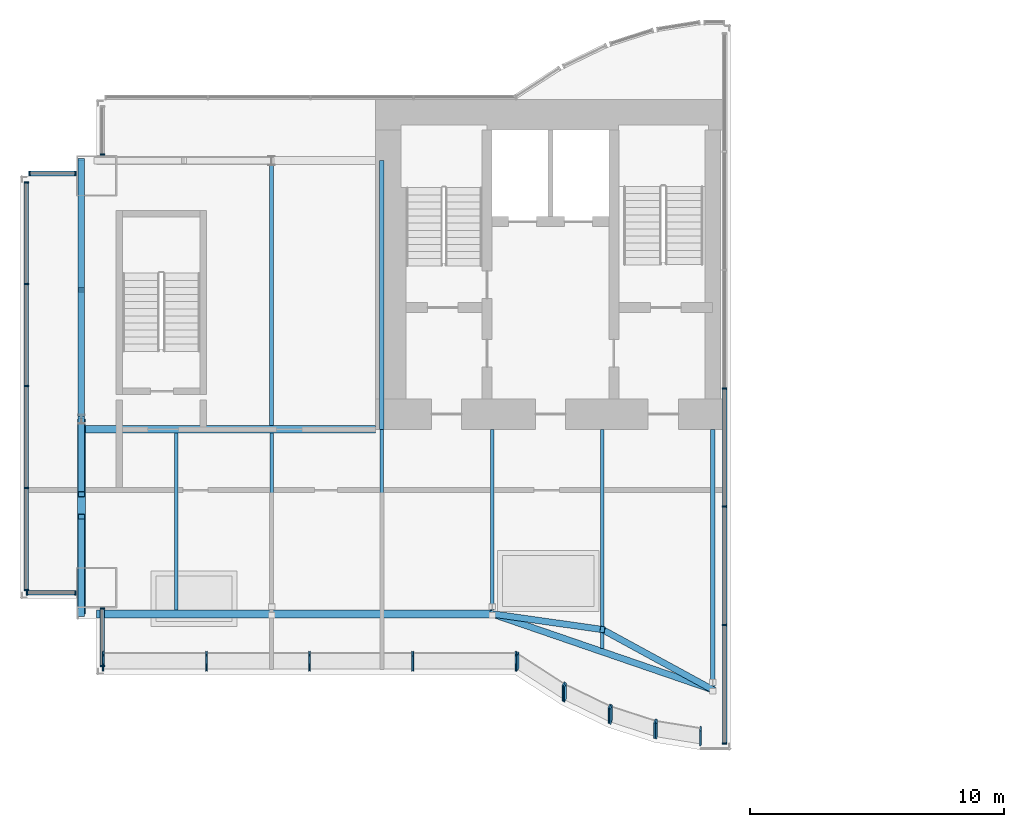
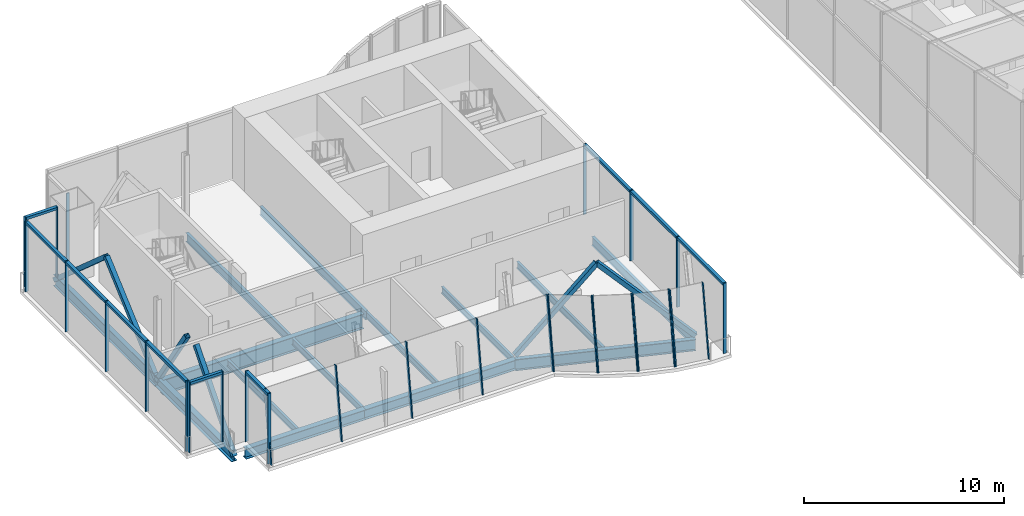
# One storey, part 3 of 17: 45 members, 14 beams, 11 elements without a shape of their own.
"""IFC4 building model written with IfcOpenShell, lengths in metres."""

from ifc_helpers import new_model, si_unit, direction, frame, origin, origin_2d, place, context, subcontext, project, spatial, rectangle, hollow_rectangle, i_section, extrude, material, material_profile, profile_set, type_object, element, aggregate, save


model = new_model("IFC4")

# Units and contexts
model_context = context("Model", 3, precision=1e-05, world=origin(), true_north=direction((0.0, 1.0)))
body_context = subcontext(model_context, "Body", "Model", "MODEL_VIEW")
ifc_project = project(units=[si_unit("LENGTHUNIT", "METRE"), si_unit("AREAUNIT", "SQUARE_METRE"), si_unit("VOLUMEUNIT", "CUBIC_METRE"), si_unit("PLANEANGLEUNIT", "RADIAN"), si_unit("MASSUNIT", "GRAM", prefix="KILO")], contexts=[model_context])

# Site, building, storey
site_placement = place(None, origin())
site = spatial("IfcSite", under=ifc_project, at=site_placement, CompositionType="ELEMENT")
building_placement = place(site_placement, origin())
building = spatial("IfcBuilding", under=site, at=building_placement, Name="Bicima Exchange Tower", CompositionType="ELEMENT")
storey_placement = place(building_placement, frame((0.0, 0.0, 356.89990234375)))
storey = spatial("IfcBuildingStorey", under=building, at=storey_placement, Name="L80", CompositionType="ELEMENT", Elevation=356.89990234375)

# Beam
ifc_material_1 = material(Name="Steel ASTM A992 Gr 50", Category="steel")
ifc_material_profile_1 = material_profile(ifc_material_1, i_section(OverallWidth=0.3046875, OverallDepth=0.911865234375, WebThickness=0.015869140625, FlangeThickness=0.02392578125, at=origin_2d()))
ifc_profile_set_1 = profile_set([ifc_material_profile_1], Name="Steel ASTM A992 Gr 50")
beam_type_1 = type_object("IfcBeamType", Name="Core-line girder W36x150", PredefinedType="BEAM", material=ifc_profile_set_1)
beam_1_placement = place(storey_placement, frame((-22.0, -13.0, -0.65576171875), z_axis=(-1.0, 0.0, 0.0), x_axis=(0.0, -1.0, 0.0)))
element("IfcBeam", 1, at=beam_1_placement, inside=storey, type_object=beam_type_1, Name="Core-line girder", PredefinedType="BEAM", context=body_context, shape_type="SweptSolid", body=[
    extrude(i_section(OverallWidth=0.3046875, OverallDepth=0.911865234375, WebThickness=0.015869140625, FlangeThickness=0.02392578125, at=origin_2d()), origin(), (0.0, 0.0, 1.0), 11.60009765625),
])

# Curtain wall, members
ifc_material_2 = material(Name="Anodised bronze aluminium", Category="aluminium")
curtain_wall_type = type_object("IfcCurtainWallType", Name="Crown glass wall", PredefinedType="NOTDEFINED", material=ifc_material_2)
curtain_wall_1_placement = place(storey_placement, origin())
curtain_wall_1 = element("IfcCurtainWall", 2, at=curtain_wall_1_placement, inside=storey, type_object=curtain_wall_type, Name="Crown glass wall L80 run 2", PredefinedType="NOTDEFINED")
ifc_material_profile_2 = material_profile(ifc_material_2, rectangle(XDim=0.179931640625, YDim=0.06005859375, at=origin_2d()))
ifc_profile_set_2 = profile_set([ifc_material_profile_2], Name="Anodised bronze aluminium")
member_type_1 = type_object("IfcMemberType", Name="Crown glass wall mullion 60 x 180", PredefinedType="MULLION", material=ifc_profile_set_2)
member_1_placement = place(storey_placement, frame((-8.22998046875, -25.382080078125, 0.0), z_axis=(0.0, 0.0, 1.0), x_axis=(-1.0, 0.0, 0.0)))
member_1 = element("IfcMember", 3, at=member_1_placement, type_object=member_type_1, Name="Crown glass wall mullion 1", PredefinedType="MULLION", context=body_context, shape_type="SweptSolid", body=[
    extrude(rectangle(XDim=0.179931640625, YDim=0.06005859375, at=origin_2d()), origin(), (0.0, 0.0, 1.0), 4.300048828125),
])
member_2_placement = place(storey_placement, frame((-8.22998046875, -20.71630859375, 0.0), z_axis=(0.0, 0.0, 1.0), x_axis=(-1.0, 0.0, 0.0)))
member_2 = element("IfcMember", 4, at=member_2_placement, type_object=member_type_1, Name="Crown glass wall mullion 2", PredefinedType="MULLION", context=body_context, shape_type="SweptSolid", body=[
    extrude(rectangle(XDim=0.179931640625, YDim=0.06005859375, at=origin_2d()), origin(), (0.0, 0.0, 1.0), 4.300048828125),
])
member_3_placement = place(storey_placement, frame((-8.22998046875, -16.05029296875, 0.0), z_axis=(0.0, 0.0, 1.0), x_axis=(-1.0, 0.0, 0.0)))
member_3 = element("IfcMember", 5, at=member_3_placement, type_object=member_type_1, Name="Crown glass wall mullion 3", PredefinedType="MULLION", context=body_context, shape_type="SweptSolid", body=[
    extrude(rectangle(XDim=0.179931640625, YDim=0.06005859375, at=origin_2d()), origin(), (0.0, 0.0, 1.0), 4.300048828125),
])
member_4_placement = place(storey_placement, frame((-8.22998046875, -11.384521484375, 0.0), z_axis=(0.0, 0.0, 1.0), x_axis=(-1.0, 0.0, 0.0)))
member_4 = element("IfcMember", 6, at=member_4_placement, type_object=member_type_1, Name="Crown glass wall mullion 4", PredefinedType="MULLION", context=body_context, shape_type="SweptSolid", body=[
    extrude(rectangle(XDim=0.179931640625, YDim=0.06005859375, at=origin_2d()), origin(), (0.0, 0.0, 1.0), 4.300048828125),
])

# Curtain wall, member
curtain_wall_2_placement = place(storey_placement, origin())
curtain_wall_2 = element("IfcCurtainWall", 7, at=curtain_wall_2_placement, inside=storey, type_object=curtain_wall_type, Name="Crown glass wall L80 run 9", PredefinedType="NOTDEFINED")
member_5_placement = place(storey_placement, frame((-32.77001953125, -2.169921875, 0.0), z_axis=(0.0, 0.0, 1.0), x_axis=(1.0, 0.0, 0.0)))
member_5 = element("IfcMember", 8, at=member_5_placement, type_object=member_type_1, Name="Crown glass wall mullion 2", PredefinedType="MULLION", context=body_context, shape_type="SweptSolid", body=[
    extrude(rectangle(XDim=0.179931640625, YDim=0.06005859375, at=origin_2d()), origin(), (0.0, 0.0, 1.0), 4.300048828125),
])
aggregate(curtain_wall_2, [member_5])

# Curtain wall, members
curtain_wall_3_placement = place(storey_placement, origin())
curtain_wall_3 = element("IfcCurtainWall", 9, at=curtain_wall_3_placement, inside=storey, type_object=curtain_wall_type, Name="Crown glass wall L80 run 10", PredefinedType="NOTDEFINED")
member_6_placement = place(storey_placement, frame((-33.830078125, -2.909912109375, 0.0), z_axis=(0.0, 0.0, 1.0), x_axis=(0.0, -1.0, 0.0)))
member_6 = element("IfcMember", 10, at=member_6_placement, type_object=member_type_1, Name="Crown glass wall mullion 1", PredefinedType="MULLION", context=body_context, shape_type="SweptSolid", body=[
    extrude(rectangle(XDim=0.179931640625, YDim=0.06005859375, at=origin_2d()), origin(), (0.0, 0.0, 1.0), 4.300048828125),
])
member_7_placement = place(storey_placement, frame((-35.64990234375, -2.909912109375, 0.0), z_axis=(0.0, 0.0, 1.0), x_axis=(0.0, -1.0, 0.0)))
member_7 = element("IfcMember", 11, at=member_7_placement, type_object=member_type_1, Name="Crown glass wall mullion 2", PredefinedType="MULLION", context=body_context, shape_type="SweptSolid", body=[
    extrude(rectangle(XDim=0.179931640625, YDim=0.06005859375, at=origin_2d()), origin(), (0.0, 0.0, 1.0), 4.300048828125),
])

curtain_wall_4_placement = place(storey_placement, origin())
curtain_wall_4 = element("IfcCurtainWall", 12, at=curtain_wall_4_placement, inside=storey, type_object=curtain_wall_type, Name="Crown glass wall L80 run 11", PredefinedType="NOTDEFINED")
member_8_placement = place(storey_placement, frame((-35.77001953125, -3.260009765625, 0.0), z_axis=(0.0, 0.0, 1.0), x_axis=(1.0, 0.0, 0.0)))
member_8 = element("IfcMember", 13, at=member_8_placement, type_object=member_type_1, Name="Crown glass wall mullion 1", PredefinedType="MULLION", context=body_context, shape_type="SweptSolid", body=[
    extrude(rectangle(XDim=0.179931640625, YDim=0.06005859375, at=origin_2d()), origin(), (0.0, 0.0, 1.0), 4.300048828125),
])
member_9_placement = place(storey_placement, frame((-35.77001953125, -7.27734375, 0.0), z_axis=(0.0, 0.0, 1.0), x_axis=(1.0, 0.0, 0.0)))
member_9 = element("IfcMember", 14, at=member_9_placement, type_object=member_type_1, Name="Crown glass wall mullion 2", PredefinedType="MULLION", context=body_context, shape_type="SweptSolid", body=[
    extrude(rectangle(XDim=0.179931640625, YDim=0.06005859375, at=origin_2d()), origin(), (0.0, 0.0, 1.0), 4.300048828125),
])
member_10_placement = place(storey_placement, frame((-35.77001953125, -11.29443359375, 0.0), z_axis=(0.0, 0.0, 1.0), x_axis=(1.0, 0.0, 0.0)))
member_10 = element("IfcMember", 15, at=member_10_placement, type_object=member_type_1, Name="Crown glass wall mullion 3", PredefinedType="MULLION", context=body_context, shape_type="SweptSolid", body=[
    extrude(rectangle(XDim=0.179931640625, YDim=0.06005859375, at=origin_2d()), origin(), (0.0, 0.0, 1.0), 4.300048828125),
])
member_11_placement = place(storey_placement, frame((-35.77001953125, -15.311767578125, 0.0), z_axis=(0.0, 0.0, 1.0), x_axis=(1.0, 0.0, 0.0)))
member_11 = element("IfcMember", 16, at=member_11_placement, type_object=member_type_1, Name="Crown glass wall mullion 4", PredefinedType="MULLION", context=body_context, shape_type="SweptSolid", body=[
    extrude(rectangle(XDim=0.179931640625, YDim=0.06005859375, at=origin_2d()), origin(), (0.0, 0.0, 1.0), 4.300048828125),
])
member_12_placement = place(storey_placement, frame((-35.77001953125, -19.3291015625, 0.0), z_axis=(0.0, 0.0, 1.0), x_axis=(1.0, 0.0, 0.0)))
member_12 = element("IfcMember", 17, at=member_12_placement, type_object=member_type_1, Name="Crown glass wall mullion 5", PredefinedType="MULLION", context=body_context, shape_type="SweptSolid", body=[
    extrude(rectangle(XDim=0.179931640625, YDim=0.06005859375, at=origin_2d()), origin(), (0.0, 0.0, 1.0), 4.300048828125),
])

curtain_wall_5_placement = place(storey_placement, origin())
curtain_wall_5 = element("IfcCurtainWall", 18, at=curtain_wall_5_placement, inside=storey, type_object=curtain_wall_type, Name="Crown glass wall L80 run 12", PredefinedType="NOTDEFINED")
member_13_placement = place(storey_placement, frame((-35.739990234375, -19.44921875, 0.0), z_axis=(0.0, 0.0, 1.0), x_axis=(0.0, 1.0, 0.0)))
member_13 = element("IfcMember", 19, at=member_13_placement, type_object=member_type_1, Name="Crown glass wall mullion 1", PredefinedType="MULLION", context=body_context, shape_type="SweptSolid", body=[
    extrude(rectangle(XDim=0.179931640625, YDim=0.06005859375, at=origin_2d()), origin(), (0.0, 0.0, 1.0), 4.300048828125),
])
member_14_placement = place(storey_placement, frame((-33.830078125, -19.44921875, 0.0), z_axis=(0.0, 0.0, 1.0), x_axis=(0.0, 1.0, 0.0)))
member_14 = element("IfcMember", 20, at=member_14_placement, type_object=member_type_1, Name="Crown glass wall mullion 2", PredefinedType="MULLION", context=body_context, shape_type="SweptSolid", body=[
    extrude(rectangle(XDim=0.179931640625, YDim=0.06005859375, at=origin_2d()), origin(), (0.0, 0.0, 1.0), 4.300048828125),
])

curtain_wall_6_placement = place(storey_placement, origin())
curtain_wall_6 = element("IfcCurtainWall", 21, at=curtain_wall_6_placement, inside=storey, type_object=curtain_wall_type, Name="Crown glass wall L80 run 13", PredefinedType="NOTDEFINED")
member_15_placement = place(storey_placement, frame((-32.77001953125, -20.07080078125, 0.0), z_axis=(0.0, 0.0, 1.0), x_axis=(1.0, 0.0, 0.0)))
member_15 = element("IfcMember", 22, at=member_15_placement, type_object=member_type_1, Name="Crown glass wall mullion 1", PredefinedType="MULLION", context=body_context, shape_type="SweptSolid", body=[
    extrude(rectangle(XDim=0.179931640625, YDim=0.06005859375, at=origin_2d()), origin(), (0.0, 0.0, 1.0), 4.300048828125),
])
member_16_placement = place(storey_placement, frame((-32.77001953125, -22.3291015625, 0.0), z_axis=(0.0, 0.0, 1.0), x_axis=(1.0, 0.0, 0.0)))
member_16 = element("IfcMember", 23, at=member_16_placement, type_object=member_type_1, Name="Crown glass wall mullion 2", PredefinedType="MULLION", context=body_context, shape_type="SweptSolid", body=[
    extrude(rectangle(XDim=0.179931640625, YDim=0.06005859375, at=origin_2d()), origin(), (0.0, 0.0, 1.0), 4.300048828125),
])

curtain_wall_7_placement = place(storey_placement, origin())
curtain_wall_7 = element("IfcCurtainWall", 24, at=curtain_wall_7_placement, inside=storey, type_object=curtain_wall_type, Name="Crown tilted glass L80 14.1", PredefinedType="NOTDEFINED")
member_17_placement = place(storey_placement, frame((-32.739990234375, -22.44921875, 0.0), z_axis=(0.0, 0.139209174124, 0.990262998319), x_axis=(0.0, -0.990262998319, 0.139209174124)))
member_17 = element("IfcMember", 25, at=member_17_placement, type_object=member_type_1, Name="Crown tilted mullion 1", PredefinedType="MULLION", context=body_context, shape_type="SweptSolid", body=[
    extrude(rectangle(XDim=0.179931640625, YDim=0.06005859375, at=origin_2d()), origin(), (0.0, 0.0, 1.0), 4.34228515625),
])
member_18_placement = place(storey_placement, frame((-28.67041015625, -22.44921875, 0.0), z_axis=(0.0, 0.139209174124, 0.990262998319), x_axis=(0.0, -0.990262998319, 0.139209174124)))
member_18 = element("IfcMember", 26, at=member_18_placement, type_object=member_type_1, Name="Crown tilted mullion 2", PredefinedType="MULLION", context=body_context, shape_type="SweptSolid", body=[
    extrude(rectangle(XDim=0.179931640625, YDim=0.06005859375, at=origin_2d()), origin(), (0.0, 0.0, 1.0), 4.34228515625),
])
member_19_placement = place(storey_placement, frame((-24.60107421875, -22.44921875, 0.0), z_axis=(0.0, 0.139209174124, 0.990262998319), x_axis=(0.0, -0.990262998319, 0.139209174124)))
member_19 = element("IfcMember", 27, at=member_19_placement, type_object=member_type_1, Name="Crown tilted mullion 3", PredefinedType="MULLION", context=body_context, shape_type="SweptSolid", body=[
    extrude(rectangle(XDim=0.179931640625, YDim=0.06005859375, at=origin_2d()), origin(), (0.0, 0.0, 1.0), 4.34228515625),
])
member_20_placement = place(storey_placement, frame((-20.531494140625, -22.44921875, 0.0), z_axis=(0.0, 0.139209174124, 0.990262998319), x_axis=(0.0, -0.990262998319, 0.139209174124)))
member_20 = element("IfcMember", 28, at=member_20_placement, type_object=member_type_1, Name="Crown tilted mullion 4", PredefinedType="MULLION", context=body_context, shape_type="SweptSolid", body=[
    extrude(rectangle(XDim=0.179931640625, YDim=0.06005859375, at=origin_2d()), origin(), (0.0, 0.0, 1.0), 4.34228515625),
])
member_21_placement = place(storey_placement, frame((-16.462158203125, -22.44921875, 0.0), z_axis=(0.0, 0.139209174124, 0.990262998319), x_axis=(0.0, -0.990262998319, 0.139209174124)))
member_21 = element("IfcMember", 29, at=member_21_placement, type_object=member_type_1, Name="Crown tilted mullion 5", PredefinedType="MULLION", context=body_context, shape_type="SweptSolid", body=[
    extrude(rectangle(XDim=0.179931640625, YDim=0.06005859375, at=origin_2d()), origin(), (0.0, 0.0, 1.0), 4.34228515625),
])
aggregate(curtain_wall_7, [member_17, member_18, member_19, member_20, member_21])

curtain_wall_8_placement = place(storey_placement, origin())
curtain_wall_8 = element("IfcCurtainWall", 30, at=curtain_wall_8_placement, inside=storey, type_object=curtain_wall_type, Name="Crown tilted glass L80 15.1", PredefinedType="NOTDEFINED")
member_22_placement = place(storey_placement, frame((-16.406982421875, -22.46533203125, 0.0), z_axis=(0.0, 0.139154039626, 0.99027074745), x_axis=(-0.542910648791, -0.831619932848, 0.116860235837)))
member_22 = element("IfcMember", 31, at=member_22_placement, type_object=member_type_1, Name="Crown tilted mullion 1", PredefinedType="MULLION", context=body_context, shape_type="SweptSolid", body=[
    extrude(rectangle(XDim=0.179931640625, YDim=0.06005859375, at=origin_2d()), origin(), (0.0, 0.0, 1.0), 4.34228515625),
])
member_23_placement = place(storey_placement, frame((-14.578857421875, -23.647216796875, 0.0), z_axis=(0.0, 0.139154039626, 0.99027074745), x_axis=(-0.542910648791, -0.831619932848, 0.116860235837)))
member_23 = element("IfcMember", 32, at=member_23_placement, type_object=member_type_1, Name="Crown tilted mullion 2", PredefinedType="MULLION", context=body_context, shape_type="SweptSolid", body=[
    extrude(rectangle(XDim=0.179931640625, YDim=0.06005859375, at=origin_2d()), origin(), (0.0, 0.0, 1.0), 4.34228515625),
])
aggregate(curtain_wall_8, [member_22, member_23])

curtain_wall_9_placement = place(storey_placement, origin())
curtain_wall_9 = element("IfcCurtainWall", 33, at=curtain_wall_9_placement, inside=storey, type_object=curtain_wall_type, Name="Crown tilted glass L80 16.1", PredefinedType="NOTDEFINED")
member_24_placement = place(storey_placement, frame((-14.526611328125, -23.676513671875, 0.0), z_axis=(0.0, 0.139154039626, 0.99027074745), x_axis=(-0.436264762204, -0.891063786867, 0.125213357889)))
member_24 = element("IfcMember", 34, at=member_24_placement, type_object=member_type_1, Name="Crown tilted mullion 1", PredefinedType="MULLION", context=body_context, shape_type="SweptSolid", body=[
    extrude(rectangle(XDim=0.179931640625, YDim=0.06005859375, at=origin_2d()), origin(), (0.0, 0.0, 1.0), 4.34228515625),
])
member_25_placement = place(storey_placement, frame((-12.7744140625, -24.526123046875, 0.0), z_axis=(0.0, 0.139154039626, 0.99027074745), x_axis=(-0.436264762204, -0.891063786867, 0.125213357889)))
member_25 = element("IfcMember", 35, at=member_25_placement, type_object=member_type_1, Name="Crown tilted mullion 2", PredefinedType="MULLION", context=body_context, shape_type="SweptSolid", body=[
    extrude(rectangle(XDim=0.179931640625, YDim=0.06005859375, at=origin_2d()), origin(), (0.0, 0.0, 1.0), 4.34228515625),
])
aggregate(curtain_wall_9, [member_24, member_25])

curtain_wall_10_placement = place(storey_placement, origin())
curtain_wall_10 = element("IfcCurtainWall", 36, at=curtain_wall_10_placement, inside=storey, type_object=curtain_wall_type, Name="Crown tilted glass L80 17.1", PredefinedType="NOTDEFINED")
member_26_placement = place(storey_placement, frame((-12.71875, -24.548583984375, 0.0), z_axis=(0.0, 0.139209174124, 0.990262998319), x_axis=(-0.307572519808, -0.942259645339, 0.132460959624)))
member_26 = element("IfcMember", 37, at=member_26_placement, type_object=member_type_1, Name="Crown tilted mullion 1", PredefinedType="MULLION", context=body_context, shape_type="SweptSolid", body=[
    extrude(rectangle(XDim=0.179931640625, YDim=0.06005859375, at=origin_2d()), origin(), (0.0, 0.0, 1.0), 4.34228515625),
])
member_27_placement = place(storey_placement, frame((-10.974609375, -25.1123046875, 0.0), z_axis=(0.0, 0.139154039626, 0.99027074745), x_axis=(-0.307572519808, -0.942267018828, 0.132408497791)))
member_27 = element("IfcMember", 38, at=member_27_placement, type_object=member_type_1, Name="Crown tilted mullion 2", PredefinedType="MULLION", context=body_context, shape_type="SweptSolid", body=[
    extrude(rectangle(XDim=0.179931640625, YDim=0.06005859375, at=origin_2d()), origin(), (0.0, 0.0, 1.0), 4.34228515625),
])
aggregate(curtain_wall_10, [member_26, member_27])

curtain_wall_11_placement = place(storey_placement, origin())
curtain_wall_11 = element("IfcCurtainWall", 39, at=curtain_wall_11_placement, inside=storey, type_object=curtain_wall_type, Name="Crown tilted glass L80 18.1", PredefinedType="NOTDEFINED")
member_28_placement = place(storey_placement, frame((-10.91650390625, -25.126220703125, 0.0), z_axis=(0.0, 0.139154039626, 0.99027074745), x_axis=(-0.159550386184, -0.977585167601, 0.137371446648)))
member_28 = element("IfcMember", 40, at=member_28_placement, type_object=member_type_1, Name="Crown tilted mullion 1", PredefinedType="MULLION", context=body_context, shape_type="SweptSolid", body=[
    extrude(rectangle(XDim=0.179931640625, YDim=0.06005859375, at=origin_2d()), origin(), (0.0, 0.0, 1.0), 4.34228515625),
])
member_29_placement = place(storey_placement, frame((-9.177734375, -25.4072265625, 0.0), z_axis=(0.0, 0.139154039626, 0.99027074745), x_axis=(-0.159550386184, -0.977585167601, 0.137371446648)))
member_29 = element("IfcMember", 41, at=member_29_placement, type_object=member_type_1, Name="Crown tilted mullion 2", PredefinedType="MULLION", context=body_context, shape_type="SweptSolid", body=[
    extrude(rectangle(XDim=0.179931640625, YDim=0.06005859375, at=origin_2d()), origin(), (0.0, 0.0, 1.0), 4.34228515625),
])
aggregate(curtain_wall_11, [member_28, member_29])

# Member
ifc_material_profile_3 = material_profile(ifc_material_2, rectangle(XDim=0.179931640625, YDim=0.159912109375, at=origin_2d()))
ifc_profile_set_3 = profile_set([ifc_material_profile_3], Name="Anodised bronze aluminium")
member_type_2 = type_object("IfcMemberType", Name="Crown glass wall transom 160 x 180", PredefinedType="USERDEFINED", material=ifc_profile_set_3)
member_30_placement = place(storey_placement, frame((-8.22998046875, -25.35205078125, 4.22021484375), z_axis=(0.0, 1.0, 0.0), x_axis=(-1.0, 0.0, 0.0)))
member_30 = element("IfcMember", 42, at=member_30_placement, type_object=member_type_2, Name="Crown glass wall transom 1.1", ObjectType="TRANSOM", PredefinedType="USERDEFINED", context=body_context, shape_type="SweptSolid", body=[
    extrude(rectangle(XDim=0.179931640625, YDim=0.159912109375, at=origin_2d()), origin(), (0.0, 0.0, 1.0), 4.605712890625),
])

member_31_placement = place(storey_placement, frame((-8.22998046875, -20.686279296875, 4.22021484375), z_axis=(0.0, 1.0, 0.0), x_axis=(-1.0, 0.0, 0.0)))
member_31 = element("IfcMember", 43, at=member_31_placement, type_object=member_type_2, Name="Crown glass wall transom 2.1", ObjectType="TRANSOM", PredefinedType="USERDEFINED", context=body_context, shape_type="SweptSolid", body=[
    extrude(rectangle(XDim=0.179931640625, YDim=0.159912109375, at=origin_2d()), origin(), (0.0, 0.0, 1.0), 4.60595703125),
])

member_32_placement = place(storey_placement, frame((-8.22998046875, -16.0205078125, 4.22021484375), z_axis=(0.0, 1.0, 0.0), x_axis=(-1.0, 0.0, 0.0)))
member_32 = element("IfcMember", 44, at=member_32_placement, type_object=member_type_2, Name="Crown glass wall transom 3.1", ObjectType="TRANSOM", PredefinedType="USERDEFINED", context=body_context, shape_type="SweptSolid", body=[
    extrude(rectangle(XDim=0.179931640625, YDim=0.159912109375, at=origin_2d()), origin(), (0.0, 0.0, 1.0), 4.60595703125),
])

aggregate(curtain_wall_1, [member_1, member_2, member_3, member_4, member_30, member_31, member_32])

member_33_placement = place(storey_placement, frame((-33.860107421875, -2.909912109375, 4.22021484375), z_axis=(-1.0, 0.0, 0.0), x_axis=(0.0, -1.0, 0.0)))
member_33 = element("IfcMember", 45, at=member_33_placement, type_object=member_type_2, Name="Crown glass wall transom 1.1", ObjectType="TRANSOM", PredefinedType="USERDEFINED", context=body_context, shape_type="SweptSolid", body=[
    extrude(rectangle(XDim=0.179931640625, YDim=0.159912109375, at=origin_2d()), origin(), (0.0, 0.0, 1.0), 1.760009765625),
])

aggregate(curtain_wall_3, [member_6, member_7, member_33])

member_34_placement = place(storey_placement, frame((-35.77001953125, -3.2900390625, 4.22021484375), z_axis=(0.0, -1.0, 0.0), x_axis=(1.0, 0.0, 0.0)))
member_34 = element("IfcMember", 46, at=member_34_placement, type_object=member_type_2, Name="Crown glass wall transom 1.1", ObjectType="TRANSOM", PredefinedType="USERDEFINED", context=body_context, shape_type="SweptSolid", body=[
    extrude(rectangle(XDim=0.179931640625, YDim=0.159912109375, at=origin_2d()), origin(), (0.0, 0.0, 1.0), 3.957275390625),
])

member_35_placement = place(storey_placement, frame((-35.77001953125, -7.307373046875, 4.22021484375), z_axis=(0.0, -1.0, 0.0), x_axis=(1.0, 0.0, 0.0)))
member_35 = element("IfcMember", 47, at=member_35_placement, type_object=member_type_2, Name="Crown glass wall transom 2.1", ObjectType="TRANSOM", PredefinedType="USERDEFINED", context=body_context, shape_type="SweptSolid", body=[
    extrude(rectangle(XDim=0.179931640625, YDim=0.159912109375, at=origin_2d()), origin(), (0.0, 0.0, 1.0), 3.95703125),
])

member_36_placement = place(storey_placement, frame((-35.77001953125, -11.324462890625, 4.22021484375), z_axis=(0.0, -1.0, 0.0), x_axis=(1.0, 0.0, 0.0)))
member_36 = element("IfcMember", 48, at=member_36_placement, type_object=member_type_2, Name="Crown glass wall transom 3.1", ObjectType="TRANSOM", PredefinedType="USERDEFINED", context=body_context, shape_type="SweptSolid", body=[
    extrude(rectangle(XDim=0.179931640625, YDim=0.159912109375, at=origin_2d()), origin(), (0.0, 0.0, 1.0), 3.957275390625),
])

member_37_placement = place(storey_placement, frame((-35.77001953125, -15.341796875, 4.22021484375), z_axis=(0.0, -1.0, 0.0), x_axis=(1.0, 0.0, 0.0)))
member_37 = element("IfcMember", 49, at=member_37_placement, type_object=member_type_2, Name="Crown glass wall transom 4.1", ObjectType="TRANSOM", PredefinedType="USERDEFINED", context=body_context, shape_type="SweptSolid", body=[
    extrude(rectangle(XDim=0.179931640625, YDim=0.159912109375, at=origin_2d()), origin(), (0.0, 0.0, 1.0), 3.957275390625),
])

aggregate(curtain_wall_4, [member_8, member_9, member_10, member_11, member_12, member_34, member_35, member_36, member_37])

member_38_placement = place(storey_placement, frame((-35.7099609375, -19.44921875, 4.22021484375), z_axis=(1.0, 0.0, 0.0), x_axis=(0.0, 1.0, 0.0)))
member_38 = element("IfcMember", 50, at=member_38_placement, type_object=member_type_2, Name="Crown glass wall transom 1.1", ObjectType="TRANSOM", PredefinedType="USERDEFINED", context=body_context, shape_type="SweptSolid", body=[
    extrude(rectangle(XDim=0.179931640625, YDim=0.159912109375, at=origin_2d()), origin(), (0.0, 0.0, 1.0), 1.849853515625),
])

aggregate(curtain_wall_5, [member_13, member_14, member_38])

member_39_placement = place(storey_placement, frame((-32.77001953125, -20.100830078125, 4.22021484375), z_axis=(0.0, -1.0, 0.0), x_axis=(1.0, 0.0, 0.0)))
member_39 = element("IfcMember", 51, at=member_39_placement, type_object=member_type_2, Name="Crown glass wall transom 1.1", ObjectType="TRANSOM", PredefinedType="USERDEFINED", context=body_context, shape_type="SweptSolid", body=[
    extrude(rectangle(XDim=0.179931640625, YDim=0.159912109375, at=origin_2d()), origin(), (0.0, 0.0, 1.0), 2.1982421875),
])

aggregate(curtain_wall_6, [member_15, member_16, member_39])

# Beams
ifc_material_profile_4 = material_profile(ifc_material_1, i_section(OverallWidth=0.3251953125, OverallDepth=0.612060546875, WebThickness=0.0126953125, FlangeThickness=0.01904296875, at=origin_2d()))
ifc_profile_set_4 = profile_set([ifc_material_profile_4], Name="Steel ASTM A992 Gr 50")
beam_type_2 = type_object("IfcBeamType", Name="End girder W24x104", PredefinedType="BEAM", material=ifc_profile_set_4)
beam_2_placement = place(storey_placement, frame((-33.60009765625, -12.60009765625, -0.506103515625), z_axis=(0.0, -1.0, 0.0), x_axis=(1.0, 0.0, 0.0)))
element("IfcBeam", 52, at=beam_2_placement, inside=storey, type_object=beam_type_2, Name="End girder", PredefinedType="BEAM", context=body_context, shape_type="SweptSolid", body=[
    extrude(i_section(OverallWidth=0.3251953125, OverallDepth=0.612060546875, WebThickness=0.0126953125, FlangeThickness=0.01904296875, at=origin_2d()), origin(), (0.0, 0.0, 1.0), 7.678955078125),
])
ifc_material_profile_5 = material_profile(ifc_material_1, i_section(OverallWidth=0.256591796875, OverallDepth=0.693359375, WebThickness=0.014404296875, FlangeThickness=0.023681640625, at=origin_2d()))
ifc_profile_set_5 = profile_set([ifc_material_profile_5], Name="Steel ASTM A992 Gr 50")
beam_type_3 = type_object("IfcBeamType", Name="End girder W27x114", PredefinedType="BEAM", material=ifc_profile_set_5)
beam_3_placement = place(storey_placement, frame((-33.60009765625, -2.39990234375, -0.546630859375), z_axis=(0.0, -1.0, 0.0), x_axis=(1.0, 0.0, 0.0)))
element("IfcBeam", 53, at=beam_3_placement, inside=storey, type_object=beam_type_3, Name="End girder", PredefinedType="BEAM", context=body_context, shape_type="SweptSolid", body=[
    extrude(i_section(OverallWidth=0.256591796875, OverallDepth=0.693359375, WebThickness=0.014404296875, FlangeThickness=0.023681640625, at=origin_2d()), origin(), (0.0, 0.0, 1.0), 10.2001953125),
])
ifc_material_profile_6 = material_profile(ifc_material_1, i_section(OverallWidth=0.140380859375, OverallDepth=0.40380859375, WebThickness=0.007080078125, FlangeThickness=0.01123046875, at=origin_2d()))
ifc_profile_set_6 = profile_set([ifc_material_profile_6], Name="Steel ASTM A992 Gr 50")
beam_type_4 = type_object("IfcBeamType", Name="Floor beam W16x31", PredefinedType="JOIST", material=ifc_profile_set_6)
for number, where, z_axis, x_axis, name in (
    (54, (-29.85009765625, -13.15234375, -0.40185546875), (0.0, -1.0, 0.0), (1.0, 0.0, 0.0), "Floor beam"),
    (55, (-26.10009765625, -13.15234375, -0.40185546875), (0.0, -1.0, 0.0), (1.0, 0.0, 0.0), "Floor beam"),
):
    element("IfcBeam", number, at=place(storey_placement, frame(where, z_axis=z_axis, x_axis=x_axis)), inside=storey, type_object=beam_type_4, Name=name, PredefinedType="JOIST", context=body_context, shape_type="SweptSolid", body=[
        extrude(i_section(OverallWidth=0.140380859375, OverallDepth=0.40380859375, WebThickness=0.007080078125, FlangeThickness=0.01123046875, at=origin_2d()), origin(), (0.0, 0.0, 1.0), 6.96435546875),
    ])
for number, where, z_axis, x_axis, name in (
    (56, (-21.75, -13.0, -0.40185546875), (0.0, -1.0, 0.0), (1.0, 0.0, 0.0), "Floor beam"),
    (57, (-17.39990234375, -13.0, -0.40185546875), (0.0, -1.0, 0.0), (1.0, 0.0, 0.0), "Floor beam"),
):
    element("IfcBeam", number, at=place(storey_placement, frame(where, z_axis=z_axis, x_axis=x_axis)), inside=storey, type_object=beam_type_4, Name=name, PredefinedType="JOIST", context=body_context, shape_type="SweptSolid", body=[
        extrude(i_section(OverallWidth=0.140380859375, OverallDepth=0.40380859375, WebThickness=0.007080078125, FlangeThickness=0.01123046875, at=origin_2d()), origin(), (0.0, 0.0, 1.0), 7.11669921875),
    ])
beam_4_placement = place(storey_placement, frame((-13.050048828125, -13.0, -0.40185546875), z_axis=(0.0, -1.0, 0.0), x_axis=(1.0, 0.0, 0.0)))
element("IfcBeam", 58, at=beam_4_placement, inside=storey, type_object=beam_type_4, Name="Floor beam", PredefinedType="JOIST", context=body_context, shape_type="SweptSolid", body=[
    extrude(i_section(OverallWidth=0.140380859375, OverallDepth=0.40380859375, WebThickness=0.007080078125, FlangeThickness=0.01123046875, at=origin_2d()), origin(), (0.0, 0.0, 1.0), 8.638916015625),
])
ifc_material_profile_7 = material_profile(ifc_material_1, i_section(OverallWidth=0.165771484375, OverallDepth=0.5283203125, WebThickness=0.009765625, FlangeThickness=0.013671875, at=origin_2d()))
ifc_profile_set_7 = profile_set([ifc_material_profile_7], Name="Steel ASTM A992 Gr 50")
beam_type_5 = type_object("IfcBeamType", Name="Floor beam W21x50", PredefinedType="JOIST", material=ifc_profile_set_7)
beam_5_placement = place(storey_placement, frame((-26.10009765625, -2.5625, -0.464111328125), z_axis=(0.0, -1.0, 0.0), x_axis=(1.0, 0.0, 0.0)))
element("IfcBeam", 59, at=beam_5_placement, inside=storey, type_object=beam_type_5, Name="Floor beam", PredefinedType="JOIST", context=body_context, shape_type="SweptSolid", body=[
    extrude(i_section(OverallWidth=0.165771484375, OverallDepth=0.5283203125, WebThickness=0.009765625, FlangeThickness=0.013671875, at=origin_2d()), origin(), (0.0, 0.0, 1.0), 10.28515625),
])
beam_6_placement = place(storey_placement, frame((-21.75, -2.39990234375, -0.464111328125), z_axis=(0.0, -1.0, 0.0), x_axis=(1.0, 0.0, 0.0)))
element("IfcBeam", 60, at=beam_6_placement, inside=storey, type_object=beam_type_5, Name="Floor beam", PredefinedType="JOIST", context=body_context, shape_type="SweptSolid", body=[
    extrude(i_section(OverallWidth=0.165771484375, OverallDepth=0.5283203125, WebThickness=0.009765625, FlangeThickness=0.013671875, at=origin_2d()), origin(), (0.0, 0.0, 1.0), 10.60009765625),
])
beam_7_placement = place(storey_placement, frame((-8.699951171875, -13.0, -0.464111328125), z_axis=(0.0, -1.0, 0.0), x_axis=(1.0, 0.0, 0.0)))
element("IfcBeam", 61, at=beam_7_placement, inside=storey, type_object=beam_type_5, Name="Floor beam", PredefinedType="JOIST", context=body_context, shape_type="SweptSolid", body=[
    extrude(i_section(OverallWidth=0.165771484375, OverallDepth=0.5283203125, WebThickness=0.009765625, FlangeThickness=0.013671875, at=origin_2d()), origin(), (0.0, 0.0, 1.0), 10.134521484375),
])
beam_type_6 = type_object("IfcBeamType", Name="Front girder W24x104", PredefinedType="BEAM", material=ifc_profile_set_4)
beam_8_placement = place(storey_placement, frame((-33.0, -20.279052734375, -0.506103515625), z_axis=(1.0, 0.0, 0.0), x_axis=(0.0, 1.0, 0.0)))
element("IfcBeam", 62, at=beam_8_placement, inside=storey, type_object=beam_type_6, Name="Front girder", PredefinedType="BEAM", context=body_context, shape_type="SweptSolid", body=[
    extrude(i_section(OverallWidth=0.3251953125, OverallDepth=0.612060546875, WebThickness=0.0126953125, FlangeThickness=0.01904296875, at=origin_2d()), origin(), (0.0, 0.0, 1.0), 6.89990234375),
])
beam_9_placement = place(storey_placement, frame((-26.10009765625, -20.279052734375, -0.506103515625), z_axis=(1.0, 0.0, 0.0), x_axis=(0.0, 1.0, 0.0)))
element("IfcBeam", 63, at=beam_9_placement, inside=storey, type_object=beam_type_6, Name="Front girder", PredefinedType="BEAM", context=body_context, shape_type="SweptSolid", body=[
    extrude(i_section(OverallWidth=0.3251953125, OverallDepth=0.612060546875, WebThickness=0.0126953125, FlangeThickness=0.01904296875, at=origin_2d()), origin(), (0.0, 0.0, 1.0), 8.7001953125),
])
beam_type_7 = type_object("IfcBeamType", Name="Front girder W27x114", PredefinedType="BEAM", material=ifc_profile_set_5)
beam_10_placement = place(storey_placement, frame((-17.39990234375, -20.279052734375, -0.546630859375), z_axis=(0.945666456746, -0.325138359143, 0.0), x_axis=(0.325138359143, 0.945666456746, 0.0)))
element("IfcBeam", 64, at=beam_10_placement, inside=storey, type_object=beam_type_7, Name="Front girder", PredefinedType="BEAM", context=body_context, shape_type="SweptSolid", body=[
    extrude(i_section(OverallWidth=0.256591796875, OverallDepth=0.693359375, WebThickness=0.014404296875, FlangeThickness=0.023681640625, at=origin_2d()), origin(), (0.0, 0.0, 1.0), 9.19970703125),
])

# Members
ifc_material_3 = material(Name="Steel ASTM A572 Gr 50", Category="steel")
ifc_material_profile_8 = material_profile(ifc_material_3, hollow_rectangle(XDim=0.25390625, YDim=0.25390625, WallThickness=0.01171875, at=origin_2d()))
ifc_profile_set_8 = profile_set([ifc_material_profile_8], Name="Steel ASTM A572 Gr 50")
member_type_3 = type_object("IfcMemberType", Name="Mega brace HSS10x10x1/2", PredefinedType="BRACE", material=ifc_profile_set_8)
member_40_placement = place(storey_placement, frame((-17.39990234375, -20.279052734375, 0.0), z_axis=(0.691634023196, -0.09844440045, 0.715507566681), x_axis=(0.140915686076, 0.99002160048, 0.0)))
element("IfcMember", 65, at=member_40_placement, inside=storey, type_object=member_type_3, Name="Mega brace front", PredefinedType="BRACE", context=body_context, shape_type="SweptSolid", body=[
    extrude(hollow_rectangle(XDim=0.25390625, YDim=0.25390625, WallThickness=0.01171875, at=origin_2d()), origin(), (0.0, 0.0, 1.0), 6.289306640625),
])
member_41_placement = place(storey_placement, frame((-8.699951171875, -23.270263671875, 0.0), z_axis=(-0.649919659178, 0.354395521864, 0.672315588616), x_axis=(-0.478741653743, -0.877955824043, 0.0)))
element("IfcMember", 66, at=member_41_placement, inside=storey, type_object=member_type_3, Name="Mega brace front", PredefinedType="BRACE", context=body_context, shape_type="SweptSolid", body=[
    extrude(hollow_rectangle(XDim=0.25390625, YDim=0.25390625, WallThickness=0.01171875, at=origin_2d()), origin(), (0.0, 0.0, 1.0), 6.693359375),
])
for number, where, z_axis, x_axis, name in (
    (67, (-33.60009765625, -2.39990234375, -0.546630859375), (0.0, -0.749844140428, 0.661614513948), (1.0, 0.0, 0.0), "Mega brace west end"),
    (68, (-33.60009765625, -12.60009765625, -0.546630859375), (0.0, 0.749844140428, 0.661614513948), (-1.0, 0.0, 0.0), "Mega brace west end"),
):
    element("IfcMember", number, at=place(storey_placement, frame(where, z_axis=z_axis, x_axis=x_axis)), inside=storey, type_object=member_type_3, Name=name, PredefinedType="BRACE", context=body_context, shape_type="SweptSolid", body=[
        extrude(hollow_rectangle(XDim=0.25390625, YDim=0.25390625, WallThickness=0.01171875, at=origin_2d()), origin(), (0.0, 0.0, 1.0), 6.801513671875),
    ])
member_42_placement = place(storey_placement, frame((-33.60009765625, -12.60009765625, -0.506103515625), z_axis=(0.0, -0.549922729302, 0.835215536132), x_axis=(1.0, 0.0, 0.0)))
element("IfcMember", 69, at=member_42_placement, inside=storey, type_object=member_type_3, Name="Mega brace west end", PredefinedType="BRACE", context=body_context, shape_type="SweptSolid", body=[
    extrude(hollow_rectangle(XDim=0.25390625, YDim=0.25390625, WallThickness=0.01171875, at=origin_2d()), origin(), (0.0, 0.0, 1.0), 5.387939453125),
])
member_43_placement = place(storey_placement, frame((-33.60009765625, -20.279052734375, -0.506103515625), z_axis=(0.0, 0.649056219271, 0.760740444716), x_axis=(-1.0, 0.0, 0.0)))
element("IfcMember", 70, at=member_43_placement, inside=storey, type_object=member_type_3, Name="Mega brace west end", PredefinedType="BRACE", context=body_context, shape_type="SweptSolid", body=[
    extrude(hollow_rectangle(XDim=0.25390625, YDim=0.25390625, WallThickness=0.01171875, at=origin_2d()), origin(), (0.0, 0.0, 1.0), 5.915283203125),
])

save(model, "model.ifc")
